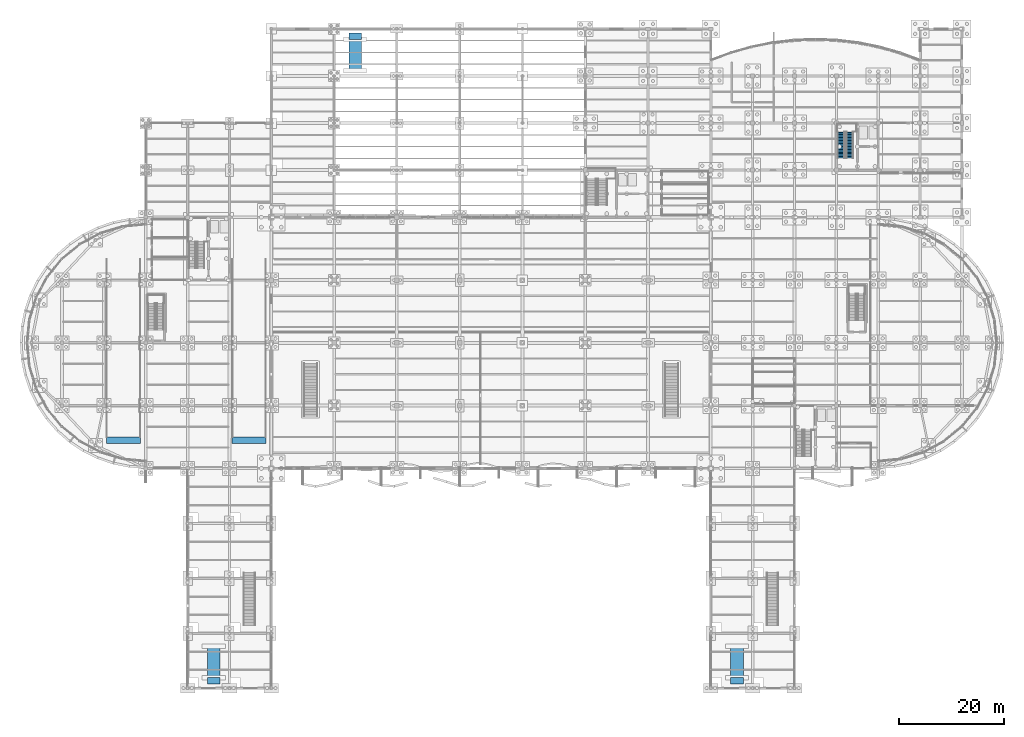
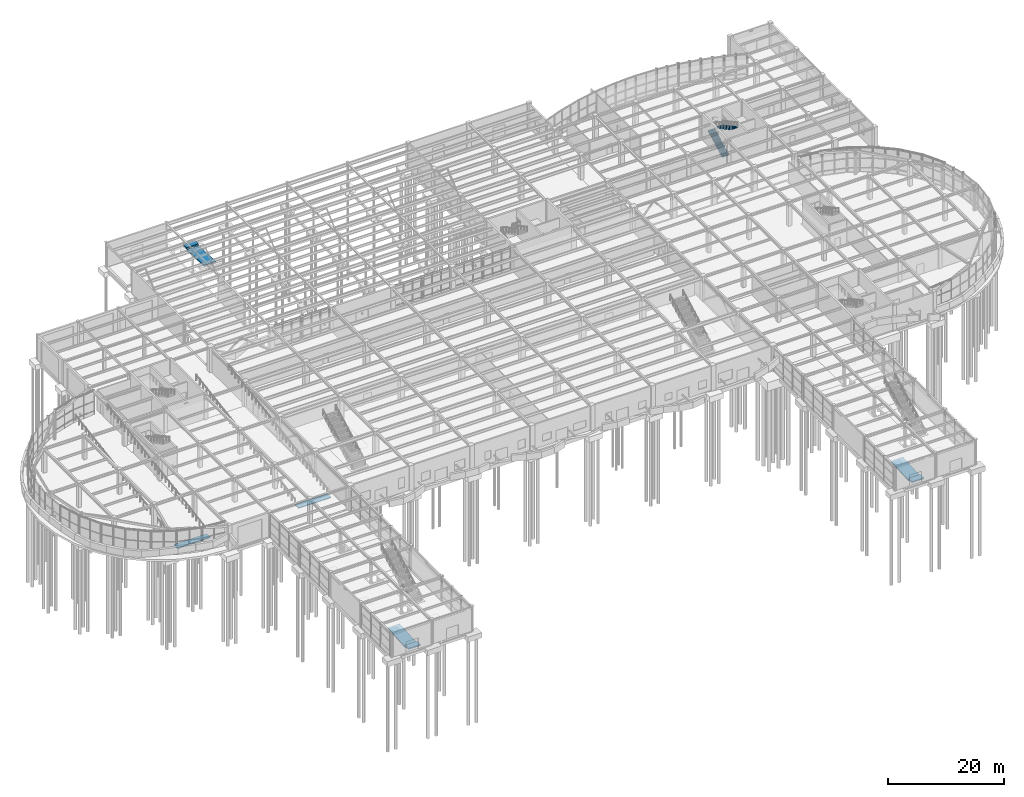
# One storey, part 72 of 85: 5 ramps, 3 ramp flights, 2 stair flights, 1 element without a shape of its own.
"""IFC4 building model written with IfcOpenShell, lengths in metres."""

from ifc_helpers import new_model, si_unit, direction, frame, origin, origin_2d, place, context, subcontext, project, spatial, polyline, rectangle, outline, extrude, material, layer, layer_set, type_object, element, aggregate, save


model = new_model("IFC4")

# Units and contexts
model_context = context("Model", 3, precision=1e-05, world=origin(), true_north=direction((0.0, 1.0)))
body_context = subcontext(model_context, "Body", "Model", "MODEL_VIEW")
ifc_project = project(units=[si_unit("LENGTHUNIT", "METRE"), si_unit("AREAUNIT", "SQUARE_METRE"), si_unit("VOLUMEUNIT", "CUBIC_METRE"), si_unit("PLANEANGLEUNIT", "RADIAN"), si_unit("MASSUNIT", "GRAM", prefix="KILO")], contexts=[model_context])

# Site, building, storey
site_placement = place(None, origin())
site = spatial("IfcSite", under=ifc_project, at=site_placement, CompositionType="ELEMENT")
building_placement = place(site_placement, origin())
building = spatial("IfcBuilding", under=site, at=building_placement, Name="Keelwater Ferry Terminal", CompositionType="ELEMENT")
storey_placement = place(building_placement, origin())
storey = spatial("IfcBuildingStorey", under=building, at=storey_placement, Name="L00", CompositionType="ELEMENT", Elevation=0.0)

# Stair, stair flights
ifc_material_1 = material(Name="Concrete C40/50", Category="concrete")
stair_type = type_object("IfcStairType", Name="ST-T01 Half-Turn Stair 1350W 36R", PredefinedType="HALF_TURN_STAIR", material=ifc_material_1)
stair_placement = place(storey_placement, origin())
stair = element("IfcStair", 1, at=stair_placement, inside=storey, type_object=stair_type, Name="Half-Turn Stair ST-C3-L00", PredefinedType="HALF_TURN_STAIR")
ifc_material_2 = material(Name="Concrete C40/50", Category="concrete")
stair_flight_type = type_object("IfcStairFlightType", Name="FL-T01 Straight Flight 1350W 36R", PredefinedType="STRAIGHT", material=ifc_material_2)
stair_flight_1_placement = place(storey_placement, frame((156.875, 101.300048828125, 0.0), z_axis=(0.0, 0.0, 1.0), x_axis=(0.0, 1.0, 0.0)))
stair_flight_1 = element("IfcStairFlight", 2, at=stair_flight_1_placement, type_object=stair_flight_type, Name="ST-C3-L00 flight 1", NumberOfRisers=18, NumberOfTreads=17, PredefinedType="STRAIGHT", RiserHeight=0.15, TreadLength=0.28, context=body_context, shape_type="SweptSolid", body=[
    extrude(outline(polyline([(0.0, 0.0), (0.0, 0.14990234375), (0.280029296875, 0.14990234375), (0.280029296875, 0.300048828125), (0.56005859375, 0.300048828125), (0.56005859375, 0.449951171875), (0.840087890625, 0.449951171875), (0.840087890625, 0.60009765625), (1.1201171875, 0.60009765625), (1.1201171875, 0.75), (1.39990234375, 0.75), (1.39990234375, 0.89990234375), (1.679931640625, 0.89990234375), (1.679931640625, 1.050048828125), (1.9599609375, 1.050048828125), (1.9599609375, 1.199951171875), (2.239990234375, 1.199951171875), (2.239990234375, 1.35009765625), (2.52001953125, 1.35009765625), (2.52001953125, 1.5), (2.800048828125, 1.5), (2.800048828125, 1.64990234375), (3.080078125, 1.64990234375), (3.080078125, 1.800048828125), (3.360107421875, 1.800048828125), (3.360107421875, 1.949951171875), (3.639892578125, 1.949951171875), (3.639892578125, 2.10009765625), (3.919921875, 2.10009765625), (3.919921875, 2.25), (4.199951171875, 2.25), (4.199951171875, 2.39990234375), (4.47998046875, 2.39990234375), (4.47998046875, 2.550048828125), (4.760009765625, 2.550048828125), (4.760009765625, 2.699951171875), (5.0400390625, 2.699951171875), (5.0400390625, 2.495849609375), (0.381103515625, 0.0), (0.0, 0.0)])), frame((0.0, 0.675048828125, 0.0), z_axis=(0.0, -1.0, 0.0), x_axis=(1.0, 0.0, 0.0)), (0.0, 0.0, 1.0), 1.35009765625),
])
stair_flight_2_placement = place(storey_placement, frame((158.56494140625, 106.340087890625, 2.699951171875), z_axis=(0.0, 0.0, 1.0), x_axis=(0.0, -1.0, 0.0)))
stair_flight_2 = element("IfcStairFlight", 3, at=stair_flight_2_placement, type_object=stair_flight_type, Name="ST-C3-L00 flight 2", NumberOfRisers=18, NumberOfTreads=17, PredefinedType="STRAIGHT", RiserHeight=0.15, TreadLength=0.28, context=body_context, shape_type="SweptSolid", body=[
    extrude(outline(polyline([(0.0, 0.0), (0.0, 0.14990234375), (0.280029296875, 0.14990234375), (0.280029296875, 0.300048828125), (0.56005859375, 0.300048828125), (0.56005859375, 0.449951171875), (0.840087890625, 0.449951171875), (0.840087890625, 0.60009765625), (1.1201171875, 0.60009765625), (1.1201171875, 0.75), (1.39990234375, 0.75), (1.39990234375, 0.89990234375), (1.679931640625, 0.89990234375), (1.679931640625, 1.050048828125), (1.9599609375, 1.050048828125), (1.9599609375, 1.199951171875), (2.239990234375, 1.199951171875), (2.239990234375, 1.35009765625), (2.52001953125, 1.35009765625), (2.52001953125, 1.5), (2.800048828125, 1.5), (2.800048828125, 1.64990234375), (3.080078125, 1.64990234375), (3.080078125, 1.800048828125), (3.360107421875, 1.800048828125), (3.360107421875, 1.949951171875), (3.639892578125, 1.949951171875), (3.639892578125, 2.10009765625), (3.919921875, 2.10009765625), (3.919921875, 2.25), (4.199951171875, 2.25), (4.199951171875, 2.39990234375), (4.47998046875, 2.39990234375), (4.47998046875, 2.550048828125), (4.760009765625, 2.550048828125), (4.760009765625, 2.699951171875), (5.0400390625, 2.699951171875), (5.0400390625, 2.495849609375), (0.381103515625, 0.0), (0.0, 0.0)])), frame((0.0, 0.675048828125, 0.0), z_axis=(0.0, -1.0, 0.0), x_axis=(1.0, 0.0, 0.0)), (0.0, 0.0, 1.0), 1.35009765625),
])
aggregate(stair, [stair_flight_1, stair_flight_2])

# Ramp flight
ifc_material_3 = material(Name="Concrete C40/50", Category="concrete")
ifc_layer = layer(ifc_material_3, 0.25)
ifc_layer_set = layer_set([ifc_layer], Name="Concrete C40/50")
ramp_flight_type = type_object("IfcRampFlightType", Name="RF-BRD Boarding Ramp Flight 250", PredefinedType="STRAIGHT", material=ifc_layer_set)
ramp_flight_1_placement = place(storey_placement, frame((37.0, 2.0, -0.35009765625), z_axis=(0.0, 0.0, 1.0), x_axis=(0.0, 1.0, 0.0)))
ramp_flight_1 = element("IfcRampFlight", 4, at=ramp_flight_1_placement, type_object=ramp_flight_type, Name="West Berth Threshold Ramp BR1 Flight", PredefinedType="STRAIGHT", context=body_context, shape_type="SweptSolid", body=[
    extrude(outline(polyline([(0.0, 0.0), (6.0, 0.35009765625), (6.0, 0.10009765625), (0.0, -0.25), (0.0, 0.0)])), frame((0.0, 1.199951171875, 0.0), z_axis=(0.0, -1.0, 0.0), x_axis=(1.0, 0.0, 0.0)), (0.0, 0.0, 1.0), 2.39990234375),
])

ramp_flight_2_placement = place(storey_placement, frame((137.0, 2.0, -0.35009765625), z_axis=(0.0, 0.0, 1.0), x_axis=(0.0, 1.0, 0.0)))
ramp_flight_2 = element("IfcRampFlight", 5, at=ramp_flight_2_placement, type_object=ramp_flight_type, Name="East Berth Threshold Ramp BR2 Flight", PredefinedType="STRAIGHT", context=body_context, shape_type="SweptSolid", body=[
    extrude(outline(polyline([(0.0, 0.0), (6.0, 0.35009765625), (6.0, 0.10009765625), (0.0, -0.25), (0.0, 0.0)])), frame((0.0, 1.199951171875, 0.0), z_axis=(0.0, -1.0, 0.0), x_axis=(1.0, 0.0, 0.0)), (0.0, 0.0, 1.0), 2.39990234375),
])

ramp_flight_3_placement = place(storey_placement, frame((64.0, 118.0, 0.0), z_axis=(0.0, 0.0, 1.0), x_axis=(0.0, 1.0, 0.0)))
ramp_flight_3 = element("IfcRampFlight", 6, at=ramp_flight_3_placement, type_object=ramp_flight_type, Name="Forecourt Threshold Access Ramp QR1 Flight", PredefinedType="STRAIGHT", context=body_context, shape_type="SweptSolid", body=[
    extrude(outline(polyline([(0.0, 0.0), (6.0, -0.35009765625), (6.0, -0.60009765625), (0.0, -0.25), (0.0, 0.0)])), frame((0.0, 1.199951171875, 0.0), z_axis=(0.0, -1.0, 0.0), x_axis=(1.0, 0.0, 0.0)), (0.0, 0.0, 1.0), 2.39990234375),
])

# Ramp
ifc_material_4 = material(Name="Concrete C40/50", Category="concrete")
ramp_type_1 = type_object("IfcRampType", Name="RM-BRD Passenger Boarding Ramp", PredefinedType="STRAIGHT_RUN_RAMP", material=ifc_material_4)
ramp_1_placement = place(storey_placement, frame((37.0, 1.39990234375, -0.25), z_axis=(0.0, 0.0, 1.0), x_axis=(1.0, 0.0, 0.0)))
ramp_1 = element("IfcRamp", 7, at=ramp_1_placement, inside=storey, type_object=ramp_type_1, Name="West Berth Threshold Ramp BR1", PredefinedType="STRAIGHT_RUN_RAMP", context=body_context, shape_type="SweptSolid", body=[
    extrude(rectangle(XDim=2.39990234375, YDim=1.199951171875, at=origin_2d()), origin(), (0.0, 0.0, 1.0), 0.25),
])

aggregate(ramp_1, [ramp_flight_1])

ramp_2_placement = place(storey_placement, frame((137.0, 1.39990234375, -0.25), z_axis=(0.0, 0.0, 1.0), x_axis=(1.0, 0.0, 0.0)))
ramp_2 = element("IfcRamp", 8, at=ramp_2_placement, inside=storey, type_object=ramp_type_1, Name="East Berth Threshold Ramp BR2", PredefinedType="STRAIGHT_RUN_RAMP", context=body_context, shape_type="SweptSolid", body=[
    extrude(rectangle(XDim=2.39990234375, YDim=1.199951171875, at=origin_2d()), origin(), (0.0, 0.0, 1.0), 0.25),
])

aggregate(ramp_2, [ramp_flight_2])

ramp_3_placement = place(storey_placement, frame((64.0, 124.60009765625, -0.25), z_axis=(0.0, 0.0, 1.0), x_axis=(1.0, 0.0, 0.0)))
ramp_3 = element("IfcRamp", 9, at=ramp_3_placement, inside=storey, type_object=ramp_type_1, Name="Forecourt Threshold Access Ramp QR1", PredefinedType="STRAIGHT_RUN_RAMP", context=body_context, shape_type="SweptSolid", body=[
    extrude(rectangle(XDim=2.39990234375, YDim=1.199951171875, at=origin_2d()), origin(), (0.0, 0.0, 1.0), 0.25),
])

aggregate(ramp_3, [ramp_flight_3])

# Ramps
ifc_material_5 = material(Name="Concrete C40/50", Category="concrete")
ramp_type_2 = type_object("IfcRampType", Name="RM-VEH Vehicle Marshalling Ramp", PredefinedType="STRAIGHT_RUN_RAMP", material=ifc_material_5)
for number, where, z_axis, x_axis, name in (
    (10, (19.75, 47.39990234375, -0.2001953125), (0.0, 0.0, 1.0), (1.0, 0.0, 0.0), "Vehicle Ramp VR1 Up to Car Check-In Deck"),
    (11, (43.75, 47.39990234375, -0.2001953125), (0.0, 0.0, 1.0), (1.0, 0.0, 0.0), "Vehicle Ramp VR2 Down to Quay Marshalling"),
):
    element("IfcRamp", number, at=place(storey_placement, frame(where, z_axis=z_axis, x_axis=x_axis)), inside=storey, type_object=ramp_type_2, Name=name, PredefinedType="STRAIGHT_RUN_RAMP", context=body_context, shape_type="SweptSolid", body=[
        extrude(rectangle(XDim=6.5, YDim=1.199951171875, at=origin_2d()), origin(), (0.0, 0.0, 1.0), 0.199951171875),
    ])

save(model, "model.ifc")
